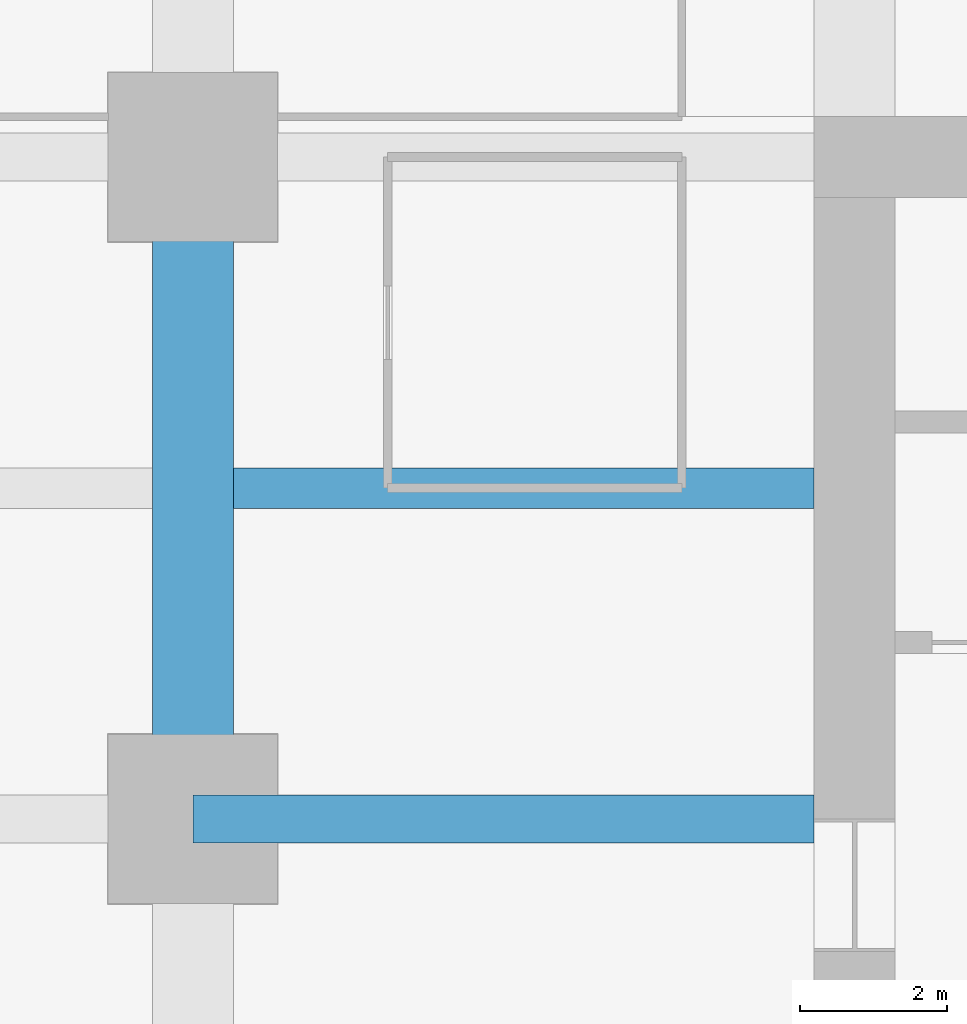
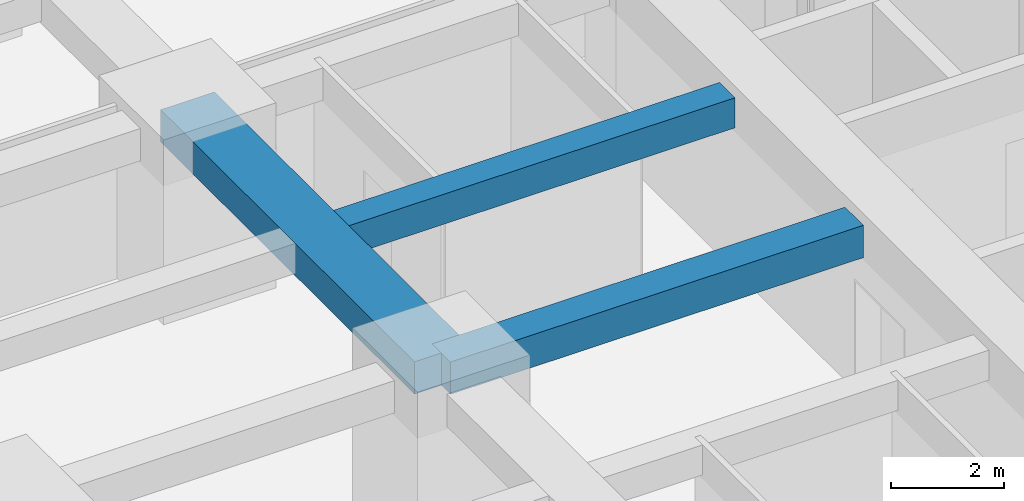
# One storey, part 12 of 45: 3 beams.
"""IFC4 building model written with IfcOpenShell, lengths in metres."""

from ifc_helpers import new_model, si_unit, direction, frame, origin, origin_2d, place, context, subcontext, project, spatial, rectangle, extrude, material, material_profile, profile_set, type_object, element, save


model = new_model("IFC4")

# Units and contexts
model_context = context("Model", 3, precision=1e-05, world=origin(), true_north=direction((0.0, 1.0)))
body_context = subcontext(model_context, "Body", "Model", "MODEL_VIEW")
ifc_project = project(units=[si_unit("LENGTHUNIT", "METRE"), si_unit("AREAUNIT", "SQUARE_METRE"), si_unit("VOLUMEUNIT", "CUBIC_METRE"), si_unit("PLANEANGLEUNIT", "RADIAN"), si_unit("MASSUNIT", "GRAM", prefix="KILO")], contexts=[model_context])

# Site, building, storey
site_placement = place(None, origin())
site = spatial("IfcSite", under=ifc_project, at=site_placement, CompositionType="ELEMENT")
building_placement = place(site_placement, origin())
building = spatial("IfcBuilding", under=site, at=building_placement, Name="Zorevar Civic Tower", CompositionType="ELEMENT")
storey_placement = place(building_placement, frame((0.0, 0.0, 47.800048828125)))
storey = spatial("IfcBuildingStorey", under=building, at=storey_placement, Name="L11", CompositionType="ELEMENT", Elevation=47.800048828125)

# Beams
ifc_material_1 = material(Name="Concrete C50/60", Category="concrete")
ifc_material_profile_1 = material_profile(ifc_material_1, rectangle(XDim=1.10009765625, YDim=0.699951171875, at=origin_2d()), Name="RC 1100x700")
ifc_profile_set_1 = profile_set([ifc_material_profile_1], Name="Concrete C50/60")
beam_type_1 = type_object("IfcBeamType", Name="Beam RC 1100x700", PredefinedType="BEAM", material=ifc_profile_set_1)
beam_1_placement = place(storey_placement, frame((9.0, 27.0, 3.39990234375), z_axis=(0.0, 1.0, 0.0), x_axis=(-1.0, 0.0, 0.0)))
element("IfcBeam", 1, at=beam_1_placement, inside=storey, type_object=beam_type_1, Name="Girder L12", PredefinedType="BEAM", context=body_context, shape_type="SweptSolid", body=[
    extrude(rectangle(XDim=1.10009765625, YDim=0.699951171875, at=origin_2d()), origin(), (0.0, 0.0, 1.0), 9.0),
])
ifc_material_2 = material(Name="Concrete C50/60", Category="concrete")
ifc_material_profile_2 = material_profile(ifc_material_2, rectangle(XDim=0.550048828125, YDim=0.64990234375, at=origin_2d()), Name="RC 550x650")
ifc_profile_set_2 = profile_set([ifc_material_profile_2], Name="Concrete C50/60")
beam_type_2 = type_object("IfcBeamType", Name="Beam RC 550x650", PredefinedType="BEAM", material=ifc_profile_set_2)
beam_2_placement = place(storey_placement, frame((9.550048828125, 31.5, 3.425048828125), z_axis=(1.0, 0.0, 0.0), x_axis=(0.0, 1.0, 0.0)))
element("IfcBeam", 2, at=beam_2_placement, inside=storey, type_object=beam_type_2, Name="Secondary beam L12", PredefinedType="BEAM", context=body_context, shape_type="SweptSolid", body=[
    extrude(rectangle(XDim=0.550048828125, YDim=0.64990234375, at=origin_2d()), origin(), (0.0, 0.0, 1.0), 7.89990234375),
])
ifc_material_3 = material(Name="Concrete C50/60", Category="concrete")
ifc_material_profile_3 = material_profile(ifc_material_3, rectangle(XDim=0.64990234375, YDim=0.699951171875, at=origin_2d()), Name="RC 650x700")
ifc_profile_set_3 = profile_set([ifc_material_profile_3], Name="Concrete C50/60")
beam_type_3 = type_object("IfcBeamType", Name="Beam RC 650x700", PredefinedType="BEAM", material=ifc_profile_set_3)
beam_3_placement = place(storey_placement, frame((9.0, 27.0, 3.39990234375), z_axis=(1.0, 0.0, 0.0), x_axis=(0.0, 1.0, 0.0)))
element("IfcBeam", 3, at=beam_3_placement, inside=storey, type_object=beam_type_3, Name="Girder L12", PredefinedType="BEAM", context=body_context, shape_type="SweptSolid", body=[
    extrude(rectangle(XDim=0.64990234375, YDim=0.699951171875, at=origin_2d()), origin(), (0.0, 0.0, 1.0), 8.449951171875),
])

save(model, "model.ifc")
